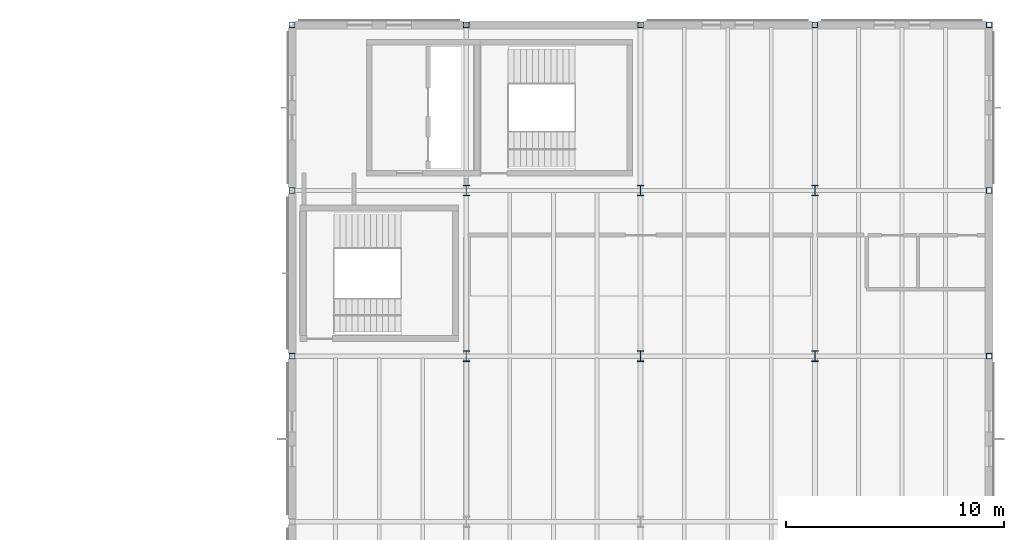
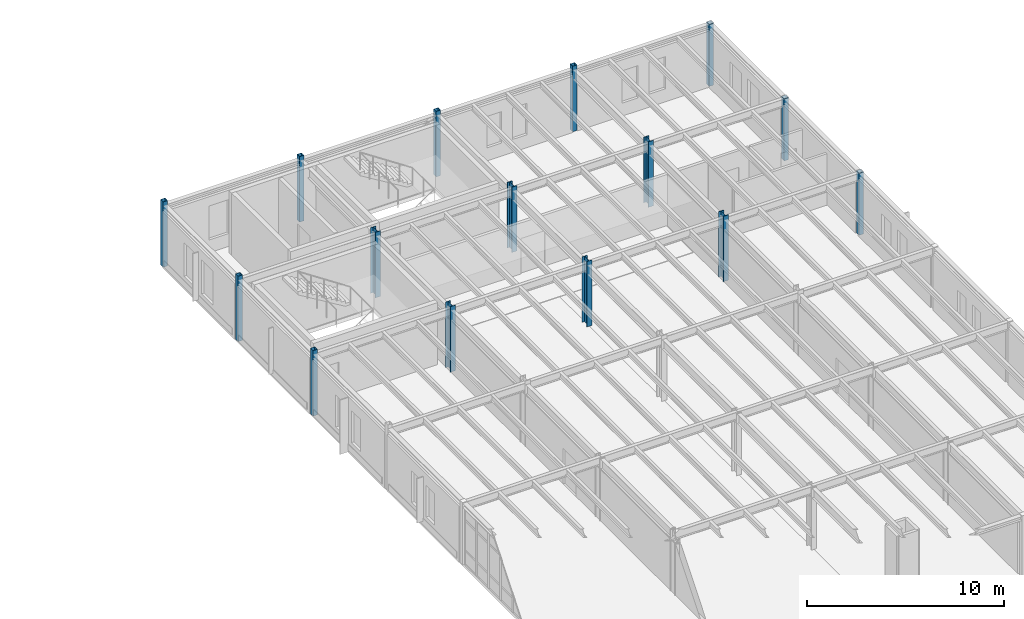
# One storey, part 23 of 189: 15 columns.
"""IFC4 building model written with IfcOpenShell, lengths in metres."""

from ifc_helpers import new_model, si_unit, direction, frame, origin, origin_2d, place, context, subcontext, project, spatial, hollow_rectangle, i_section, extrude, material, material_profile, profile_set, type_object, element, save


model = new_model("IFC4")

# Units and contexts
model_context = context("Model", 3, precision=1e-05, world=origin(), true_north=direction((0.0, 1.0)))
body_context = subcontext(model_context, "Body", "Model", "MODEL_VIEW")
ifc_project = project(units=[si_unit("LENGTHUNIT", "METRE"), si_unit("AREAUNIT", "SQUARE_METRE"), si_unit("VOLUMEUNIT", "CUBIC_METRE"), si_unit("PLANEANGLEUNIT", "RADIAN"), si_unit("MASSUNIT", "GRAM", prefix="KILO")], contexts=[model_context])

# Site, building, storey
site_placement = place(None, origin())
site = spatial("IfcSite", under=ifc_project, at=site_placement, CompositionType="ELEMENT")
building_placement = place(site_placement, origin())
building = spatial("IfcBuilding", under=site, at=building_placement, Name="Montecoro Central Library", CompositionType="ELEMENT")
storey_placement = place(building_placement, frame((0.0, 0.0, 9.179931640625)))
storey = spatial("IfcBuildingStorey", under=building, at=storey_placement, Name="L02", CompositionType="ELEMENT", Elevation=9.179931640625)

# Columns
ifc_material_1 = material(Name="Steel S355J2", Category="steel")
ifc_material_profile_1 = material_profile(ifc_material_1, i_section(OverallWidth=0.300048828125, OverallDepth=0.5, WebThickness=0.014404296875, FlangeThickness=0.028076171875, at=origin_2d()), Name="HEB 500")
ifc_profile_set_1 = profile_set([ifc_material_profile_1], Name="Steel S355J2")
column_type_1 = type_object("IfcColumnType", Name="COL-HEB500", PredefinedType="COLUMN", material=ifc_profile_set_1)
for number, where, z_axis, x_axis, name in (
    (1, (149.0, 103.800048828125, 0.0), (0.0, 0.0, 1.0), (1.0, 0.0, 0.0), "V5-L02-COL-19-P"),
    (2, (149.0, 111.39990234375, 0.0), (0.0, 0.0, 1.0), (1.0, 0.0, 0.0), "V5-L02-COL-19-Q"),
    (3, (157.0, 103.800048828125, 0.0), (0.0, 0.0, 1.0), (1.0, 0.0, 0.0), "V5-L02-COL-20-P"),
    (4, (157.0, 111.39990234375, 0.0), (0.0, 0.0, 1.0), (1.0, 0.0, 0.0), "V5-L02-COL-20-Q"),
    (5, (165.0, 103.800048828125, 0.0), (0.0, 0.0, 1.0), (1.0, 0.0, 0.0), "V5-L02-COL-21-P"),
    (6, (165.0, 111.39990234375, 0.0), (0.0, 0.0, 1.0), (1.0, 0.0, 0.0), "V5-L02-COL-21-Q"),
):
    element("IfcColumn", number, at=place(storey_placement, frame(where, z_axis=z_axis, x_axis=x_axis)), inside=storey, type_object=column_type_1, Name=name, PredefinedType="COLUMN", context=body_context, shape_type="SweptSolid", body=[
        extrude(i_section(OverallWidth=0.300048828125, OverallDepth=0.5, WebThickness=0.014404296875, FlangeThickness=0.028076171875, at=origin_2d()), origin(), (0.0, 0.0, 1.0), 4.05517578125),
    ])
ifc_material_2 = material(Name="Steel S355", Category="steel")
ifc_material_profile_2 = material_profile(ifc_material_2, hollow_rectangle(XDim=0.260009765625, YDim=0.260009765625, WallThickness=0.012451171875, at=origin_2d()), Name="SHS 260x260x12.5")
ifc_profile_set_2 = profile_set([ifc_material_profile_2], Name="Steel S355")
column_type_2 = type_object("IfcColumnType", Name="COL-SHS260", PredefinedType="COLUMN", material=ifc_profile_set_2)
for number, where, z_axis, x_axis, name in (
    (7, (141.0, 103.800048828125, 0.0), (0.0, 0.0, 1.0), (1.0, 0.0, 0.0), "V5-L02-COL-18-P"),
    (8, (141.0, 111.39990234375, 0.0), (0.0, 0.0, 1.0), (1.0, 0.0, 0.0), "V5-L02-COL-18-Q"),
    (9, (141.0, 119.0, 0.0), (0.0, 0.0, 1.0), (1.0, 0.0, 0.0), "V5-L02-COL-18-R"),
    (10, (149.0, 119.0, 0.0), (0.0, 0.0, 1.0), (1.0, 0.0, 0.0), "V5-L02-COL-19-R"),
    (11, (157.0, 119.0, 0.0), (0.0, 0.0, 1.0), (1.0, 0.0, 0.0), "V5-L02-COL-20-R"),
    (12, (165.0, 119.0, 0.0), (0.0, 0.0, 1.0), (1.0, 0.0, 0.0), "V5-L02-COL-21-R"),
):
    element("IfcColumn", number, at=place(storey_placement, frame(where, z_axis=z_axis, x_axis=x_axis)), inside=storey, type_object=column_type_2, Name=name, PredefinedType="COLUMN", context=body_context, shape_type="SweptSolid", body=[
        extrude(hollow_rectangle(XDim=0.260009765625, YDim=0.260009765625, WallThickness=0.012451171875, at=origin_2d()), origin(), (0.0, 0.0, 1.0), 4.05517578125),
    ])
for number, where, z_axis, x_axis, name in (
    (13, (173.0, 103.800048828125, 0.0), (0.0, 0.0, 1.0), (1.0, 0.0, 0.0), "V5-L02-COL-22-P"),
    (14, (173.0, 111.39990234375, 0.0), (0.0, 0.0, 1.0), (1.0, 0.0, 0.0), "V5-L02-COL-22-Q"),
    (15, (173.0, 119.0, 0.0), (0.0, 0.0, 1.0), (1.0, 0.0, 0.0), "V5-L02-COL-22-R"),
):
    element("IfcColumn", number, at=place(storey_placement, frame(where, z_axis=z_axis, x_axis=x_axis)), inside=storey, type_object=column_type_2, Name=name, PredefinedType="COLUMN", context=body_context, shape_type="SweptSolid", body=[
        extrude(hollow_rectangle(XDim=0.260009765625, YDim=0.260009765625, WallThickness=0.012451171875, at=origin_2d()), origin(), (0.0, 0.0, 1.0), 3.85009765625),
    ])

save(model, "model.ifc")
